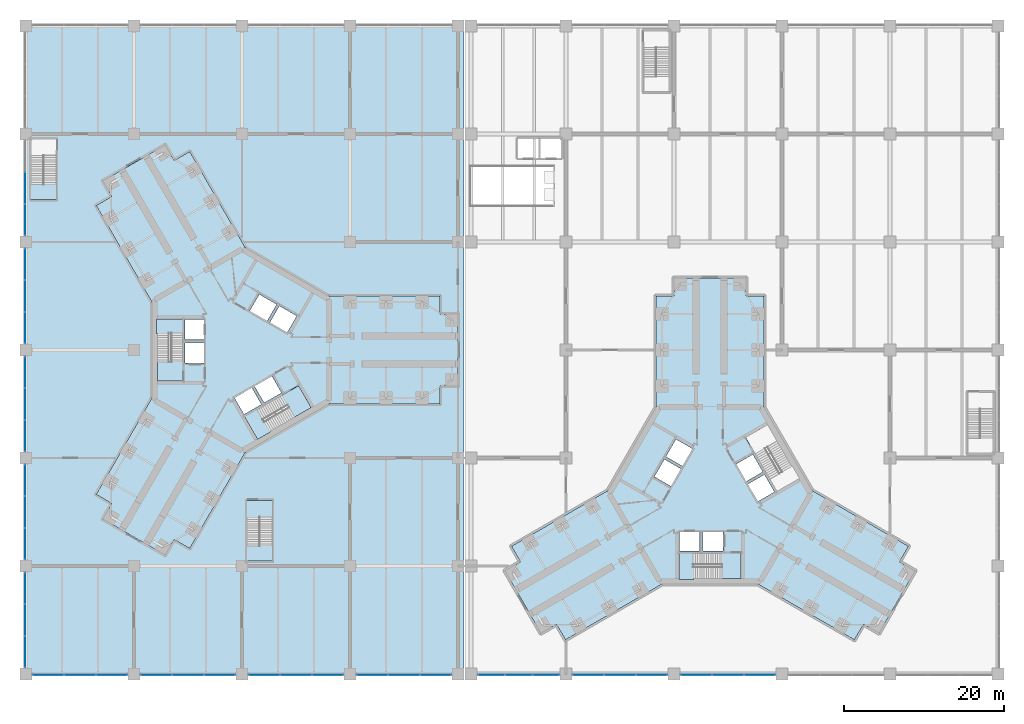
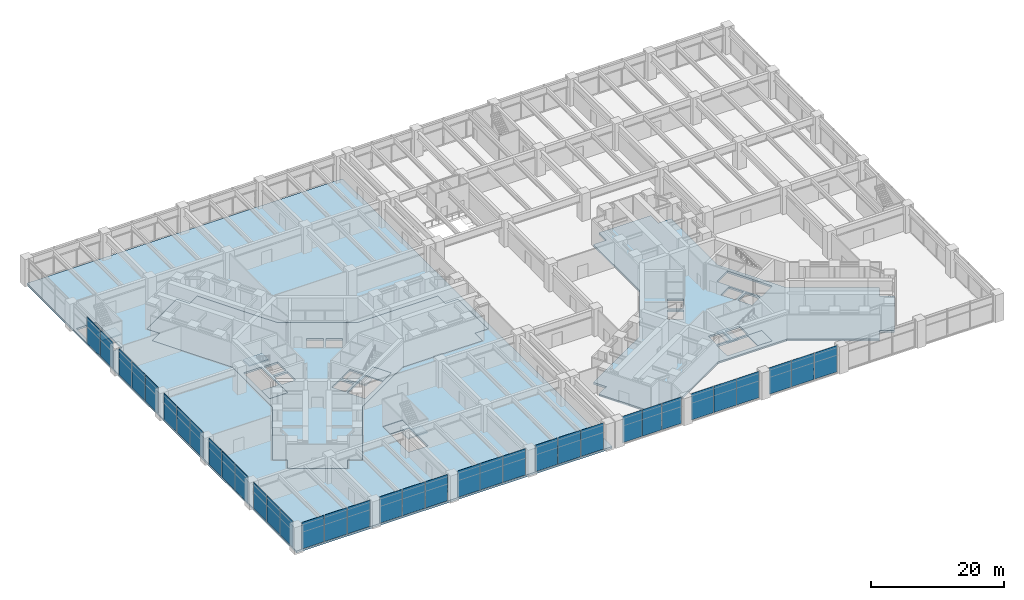
# One storey, part 18 of 31: 35 plates, 12 slabs, 17 elements without a shape of their own.
"""IFC4 building model written with IfcOpenShell, lengths in metres."""

from ifc_helpers import new_model, si_unit, direction, frame, origin, origin_2d, place, context, subcontext, project, spatial, polyline, rectangle, outline, extrude, material, layer, layer_set, type_object, element, aggregate, save


model = new_model("IFC4")

# Units and contexts
model_context = context("Model", 3, precision=1e-05, world=origin(), true_north=direction((0.0, 1.0)))
body_context = subcontext(model_context, "Body", "Model", "MODEL_VIEW")
ifc_project = project(units=[si_unit("LENGTHUNIT", "METRE"), si_unit("AREAUNIT", "SQUARE_METRE"), si_unit("VOLUMEUNIT", "CUBIC_METRE"), si_unit("PLANEANGLEUNIT", "RADIAN"), si_unit("MASSUNIT", "GRAM", prefix="KILO")], contexts=[model_context])

# Site, building, storey
site_placement = place(None, origin())
site = spatial("IfcSite", under=ifc_project, at=site_placement, CompositionType="ELEMENT")
building_placement = place(site_placement, origin())
building = spatial("IfcBuilding", under=site, at=building_placement, Name="Upepo Twin Towers", CompositionType="ELEMENT")
storey_placement = place(building_placement, frame((0.0, 0.0, 15.5)))
storey = spatial("IfcBuildingStorey", under=building, at=storey_placement, Name="L03", CompositionType="ELEMENT", Elevation=15.5)

# Curtain wall, plates
ifc_material_1 = material(Name="Aluminium and clear glass", Category="aluminium")
curtain_wall_type = type_object("IfcCurtainWallType", Name="Podium curtain wall PW1", PredefinedType="NOTDEFINED", material=ifc_material_1)
curtain_wall_1_placement = place(storey_placement, origin())
curtain_wall_1 = element("IfcCurtainWall", 1, at=curtain_wall_1_placement, inside=storey, type_object=curtain_wall_type, Name="Podium L03 curtain wall S1", PredefinedType="NOTDEFINED")
ifc_material_2 = material(Name="Ceramic-fritted laminated glass", Category="glass")
ifc_layer_1 = layer(ifc_material_2, 0.031982421875)
ifc_layer_set_1 = layer_set([ifc_layer_1], Name="Fritted glass panel, 32 mm double glazed")
plate_type_1 = type_object("IfcPlateType", Name="Fritted glass panel, 32 mm double glazed", PredefinedType="CURTAIN_PANEL", material=ifc_layer_set_1)
plate_1_placement = place(storey_placement, frame((-24.21044921875, -40.60009765625, 0.14990234375), z_axis=(0.0, 0.0, 1.0), x_axis=(1.0, 0.0, 0.0)))
plate_1 = element("IfcPlate", 2, at=plate_1_placement, type_object=plate_type_1, Name="Podium L03 curtain wall S1 panel 1", PredefinedType="CURTAIN_PANEL", context=body_context, shape_type="SweptSolid", body=[
    extrude(rectangle(XDim=3.879150390625, YDim=0.031982421875, at=origin_2d()), origin(), (0.0, 0.0, 1.0), 4.85009765625),
])
plate_2_placement = place(storey_placement, frame((-16.28955078125, -40.60009765625, 0.14990234375), z_axis=(0.0, 0.0, 1.0), x_axis=(1.0, 0.0, 0.0)))
plate_2 = element("IfcPlate", 3, at=plate_2_placement, type_object=plate_type_1, Name="Podium L03 curtain wall S1 panel 3", PredefinedType="CURTAIN_PANEL", context=body_context, shape_type="SweptSolid", body=[
    extrude(rectangle(XDim=3.879150390625, YDim=0.031982421875, at=origin_2d()), origin(), (0.0, 0.0, 1.0), 4.85009765625),
])

curtain_wall_2_placement = place(storey_placement, origin())
curtain_wall_2 = element("IfcCurtainWall", 4, at=curtain_wall_2_placement, inside=storey, type_object=curtain_wall_type, Name="Podium L03 curtain wall S2", PredefinedType="NOTDEFINED")
plate_3_placement = place(storey_placement, frame((-10.71044921875, -40.60009765625, 0.14990234375), z_axis=(0.0, 0.0, 1.0), x_axis=(1.0, 0.0, 0.0)))
plate_3 = element("IfcPlate", 5, at=plate_3_placement, type_object=plate_type_1, Name="Podium L03 curtain wall S2 panel 1", PredefinedType="CURTAIN_PANEL", context=body_context, shape_type="SweptSolid", body=[
    extrude(rectangle(XDim=3.879150390625, YDim=0.031982421875, at=origin_2d()), origin(), (0.0, 0.0, 1.0), 4.85009765625),
])
plate_4_placement = place(storey_placement, frame((-2.78955078125, -40.60009765625, 0.14990234375), z_axis=(0.0, 0.0, 1.0), x_axis=(1.0, 0.0, 0.0)))
plate_4 = element("IfcPlate", 6, at=plate_4_placement, type_object=plate_type_1, Name="Podium L03 curtain wall S2 panel 3", PredefinedType="CURTAIN_PANEL", context=body_context, shape_type="SweptSolid", body=[
    extrude(rectangle(XDim=3.879150390625, YDim=0.031982421875, at=origin_2d()), origin(), (0.0, 0.0, 1.0), 4.85009765625),
])

curtain_wall_3_placement = place(storey_placement, origin())
curtain_wall_3 = element("IfcCurtainWall", 7, at=curtain_wall_3_placement, inside=storey, type_object=curtain_wall_type, Name="Podium L03 curtain wall S3", PredefinedType="NOTDEFINED")
plate_5_placement = place(storey_placement, frame((2.78955078125, -40.60009765625, 0.14990234375), z_axis=(0.0, 0.0, 1.0), x_axis=(1.0, 0.0, 0.0)))
plate_5 = element("IfcPlate", 8, at=plate_5_placement, type_object=plate_type_1, Name="Podium L03 curtain wall S3 panel 1", PredefinedType="CURTAIN_PANEL", context=body_context, shape_type="SweptSolid", body=[
    extrude(rectangle(XDim=3.879150390625, YDim=0.031982421875, at=origin_2d()), origin(), (0.0, 0.0, 1.0), 4.85009765625),
])
plate_6_placement = place(storey_placement, frame((10.71044921875, -40.60009765625, 0.14990234375), z_axis=(0.0, 0.0, 1.0), x_axis=(1.0, 0.0, 0.0)))
plate_6 = element("IfcPlate", 9, at=plate_6_placement, type_object=plate_type_1, Name="Podium L03 curtain wall S3 panel 3", PredefinedType="CURTAIN_PANEL", context=body_context, shape_type="SweptSolid", body=[
    extrude(rectangle(XDim=3.879150390625, YDim=0.031982421875, at=origin_2d()), origin(), (0.0, 0.0, 1.0), 4.85009765625),
])

curtain_wall_4_placement = place(storey_placement, origin())
curtain_wall_4 = element("IfcCurtainWall", 10, at=curtain_wall_4_placement, inside=storey, type_object=curtain_wall_type, Name="Podium L03 curtain wall S4", PredefinedType="NOTDEFINED")
plate_7_placement = place(storey_placement, frame((16.28955078125, -40.60009765625, 0.14990234375), z_axis=(0.0, 0.0, 1.0), x_axis=(1.0, 0.0, 0.0)))
plate_7 = element("IfcPlate", 11, at=plate_7_placement, type_object=plate_type_1, Name="Podium L03 curtain wall S4 panel 1", PredefinedType="CURTAIN_PANEL", context=body_context, shape_type="SweptSolid", body=[
    extrude(rectangle(XDim=3.879150390625, YDim=0.031982421875, at=origin_2d()), origin(), (0.0, 0.0, 1.0), 4.85009765625),
])
plate_8_placement = place(storey_placement, frame((24.21044921875, -40.60009765625, 0.14990234375), z_axis=(0.0, 0.0, 1.0), x_axis=(1.0, 0.0, 0.0)))
plate_8 = element("IfcPlate", 12, at=plate_8_placement, type_object=plate_type_1, Name="Podium L03 curtain wall S4 panel 3", PredefinedType="CURTAIN_PANEL", context=body_context, shape_type="SweptSolid", body=[
    extrude(rectangle(XDim=3.879150390625, YDim=0.031982421875, at=origin_2d()), origin(), (0.0, 0.0, 1.0), 4.85009765625),
])

curtain_wall_5_placement = place(storey_placement, origin())
curtain_wall_5 = element("IfcCurtainWall", 13, at=curtain_wall_5_placement, inside=storey, type_object=curtain_wall_type, Name="Podium L03 curtain wall S5", PredefinedType="NOTDEFINED")
plate_9_placement = place(storey_placement, frame((31.16455078125, -40.60009765625, 0.14990234375), z_axis=(0.0, 0.0, 1.0), x_axis=(1.0, 0.0, 0.0)))
plate_9 = element("IfcPlate", 14, at=plate_9_placement, type_object=plate_type_1, Name="Podium L03 curtain wall S5 panel 1", PredefinedType="CURTAIN_PANEL", context=body_context, shape_type="SweptSolid", body=[
    extrude(rectangle(XDim=3.3291015625, YDim=0.031982421875, at=origin_2d()), origin(), (0.0, 0.0, 1.0), 4.85009765625),
])
plate_10_placement = place(storey_placement, frame((37.9853515625, -40.60009765625, 0.14990234375), z_axis=(0.0, 0.0, 1.0), x_axis=(1.0, 0.0, 0.0)))
plate_10 = element("IfcPlate", 15, at=plate_10_placement, type_object=plate_type_1, Name="Podium L03 curtain wall S5 panel 3", PredefinedType="CURTAIN_PANEL", context=body_context, shape_type="SweptSolid", body=[
    extrude(rectangle(XDim=3.3291015625, YDim=0.031982421875, at=origin_2d()), origin(), (0.0, 0.0, 1.0), 4.85009765625),
])

curtain_wall_6_placement = place(storey_placement, origin())
curtain_wall_6 = element("IfcCurtainWall", 16, at=curtain_wall_6_placement, inside=storey, type_object=curtain_wall_type, Name="Podium L03 curtain wall S6", PredefinedType="NOTDEFINED")
plate_11_placement = place(storey_placement, frame((43.28955078125, -40.60009765625, 0.14990234375), z_axis=(0.0, 0.0, 1.0), x_axis=(1.0, 0.0, 0.0)))
plate_11 = element("IfcPlate", 17, at=plate_11_placement, type_object=plate_type_1, Name="Podium L03 curtain wall S6 panel 1", PredefinedType="CURTAIN_PANEL", context=body_context, shape_type="SweptSolid", body=[
    extrude(rectangle(XDim=3.879150390625, YDim=0.031982421875, at=origin_2d()), origin(), (0.0, 0.0, 1.0), 4.85009765625),
])
plate_12_placement = place(storey_placement, frame((51.21044921875, -40.60009765625, 0.14990234375), z_axis=(0.0, 0.0, 1.0), x_axis=(1.0, 0.0, 0.0)))
plate_12 = element("IfcPlate", 18, at=plate_12_placement, type_object=plate_type_1, Name="Podium L03 curtain wall S6 panel 3", PredefinedType="CURTAIN_PANEL", context=body_context, shape_type="SweptSolid", body=[
    extrude(rectangle(XDim=3.879150390625, YDim=0.031982421875, at=origin_2d()), origin(), (0.0, 0.0, 1.0), 4.85009765625),
])

curtain_wall_7_placement = place(storey_placement, origin())
curtain_wall_7 = element("IfcCurtainWall", 19, at=curtain_wall_7_placement, inside=storey, type_object=curtain_wall_type, Name="Podium L03 curtain wall S7", PredefinedType="NOTDEFINED")
plate_13_placement = place(storey_placement, frame((56.78955078125, -40.60009765625, 0.14990234375), z_axis=(0.0, 0.0, 1.0), x_axis=(1.0, 0.0, 0.0)))
plate_13 = element("IfcPlate", 20, at=plate_13_placement, type_object=plate_type_1, Name="Podium L03 curtain wall S7 panel 1", PredefinedType="CURTAIN_PANEL", context=body_context, shape_type="SweptSolid", body=[
    extrude(rectangle(XDim=3.879150390625, YDim=0.031982421875, at=origin_2d()), origin(), (0.0, 0.0, 1.0), 4.85009765625),
])
plate_14_placement = place(storey_placement, frame((64.71044921875, -40.60009765625, 0.14990234375), z_axis=(0.0, 0.0, 1.0), x_axis=(1.0, 0.0, 0.0)))
plate_14 = element("IfcPlate", 21, at=plate_14_placement, type_object=plate_type_1, Name="Podium L03 curtain wall S7 panel 3", PredefinedType="CURTAIN_PANEL", context=body_context, shape_type="SweptSolid", body=[
    extrude(rectangle(XDim=3.879150390625, YDim=0.031982421875, at=origin_2d()), origin(), (0.0, 0.0, 1.0), 4.85009765625),
])

# Curtain wall, plate
curtain_wall_8_placement = place(storey_placement, origin())
curtain_wall_8 = element("IfcCurtainWall", 22, at=curtain_wall_8_placement, inside=storey, type_object=curtain_wall_type, Name="Podium L03 curtain wall W2", PredefinedType="NOTDEFINED")
plate_15_placement = place(storey_placement, frame((-27.10009765625, 16.28955078125, 0.14990234375), z_axis=(0.0, 0.0, 1.0), x_axis=(0.0, -1.0, 0.0)))
plate_15 = element("IfcPlate", 23, at=plate_15_placement, type_object=plate_type_1, Name="Podium L03 curtain wall W2 panel 3", PredefinedType="CURTAIN_PANEL", context=body_context, shape_type="SweptSolid", body=[
    extrude(rectangle(XDim=3.879150390625, YDim=0.031982421875, at=origin_2d()), origin(), (0.0, 0.0, 1.0), 4.85009765625),
])

# Curtain wall, plates
curtain_wall_9_placement = place(storey_placement, origin())
curtain_wall_9 = element("IfcCurtainWall", 24, at=curtain_wall_9_placement, inside=storey, type_object=curtain_wall_type, Name="Podium L03 curtain wall W3", PredefinedType="NOTDEFINED")
plate_16_placement = place(storey_placement, frame((-27.10009765625, 10.71044921875, 0.14990234375), z_axis=(0.0, 0.0, 1.0), x_axis=(0.0, -1.0, 0.0)))
plate_16 = element("IfcPlate", 25, at=plate_16_placement, type_object=plate_type_1, Name="Podium L03 curtain wall W3 panel 1", PredefinedType="CURTAIN_PANEL", context=body_context, shape_type="SweptSolid", body=[
    extrude(rectangle(XDim=3.879150390625, YDim=0.031982421875, at=origin_2d()), origin(), (0.0, 0.0, 1.0), 4.85009765625),
])
plate_17_placement = place(storey_placement, frame((-27.10009765625, 2.78955078125, 0.14990234375), z_axis=(0.0, 0.0, 1.0), x_axis=(0.0, -1.0, 0.0)))
plate_17 = element("IfcPlate", 26, at=plate_17_placement, type_object=plate_type_1, Name="Podium L03 curtain wall W3 panel 3", PredefinedType="CURTAIN_PANEL", context=body_context, shape_type="SweptSolid", body=[
    extrude(rectangle(XDim=3.879150390625, YDim=0.031982421875, at=origin_2d()), origin(), (0.0, 0.0, 1.0), 4.85009765625),
])

curtain_wall_10_placement = place(storey_placement, origin())
curtain_wall_10 = element("IfcCurtainWall", 27, at=curtain_wall_10_placement, inside=storey, type_object=curtain_wall_type, Name="Podium L03 curtain wall W4", PredefinedType="NOTDEFINED")
plate_18_placement = place(storey_placement, frame((-27.10009765625, -2.78955078125, 0.14990234375), z_axis=(0.0, 0.0, 1.0), x_axis=(0.0, -1.0, 0.0)))
plate_18 = element("IfcPlate", 28, at=plate_18_placement, type_object=plate_type_1, Name="Podium L03 curtain wall W4 panel 1", PredefinedType="CURTAIN_PANEL", context=body_context, shape_type="SweptSolid", body=[
    extrude(rectangle(XDim=3.879150390625, YDim=0.031982421875, at=origin_2d()), origin(), (0.0, 0.0, 1.0), 4.85009765625),
])
plate_19_placement = place(storey_placement, frame((-27.10009765625, -10.71044921875, 0.14990234375), z_axis=(0.0, 0.0, 1.0), x_axis=(0.0, -1.0, 0.0)))
plate_19 = element("IfcPlate", 29, at=plate_19_placement, type_object=plate_type_1, Name="Podium L03 curtain wall W4 panel 3", PredefinedType="CURTAIN_PANEL", context=body_context, shape_type="SweptSolid", body=[
    extrude(rectangle(XDim=3.879150390625, YDim=0.031982421875, at=origin_2d()), origin(), (0.0, 0.0, 1.0), 4.85009765625),
])

curtain_wall_11_placement = place(storey_placement, origin())
curtain_wall_11 = element("IfcCurtainWall", 30, at=curtain_wall_11_placement, inside=storey, type_object=curtain_wall_type, Name="Podium L03 curtain wall W5", PredefinedType="NOTDEFINED")
plate_20_placement = place(storey_placement, frame((-27.10009765625, -16.28955078125, 0.14990234375), z_axis=(0.0, 0.0, 1.0), x_axis=(0.0, -1.0, 0.0)))
plate_20 = element("IfcPlate", 31, at=plate_20_placement, type_object=plate_type_1, Name="Podium L03 curtain wall W5 panel 1", PredefinedType="CURTAIN_PANEL", context=body_context, shape_type="SweptSolid", body=[
    extrude(rectangle(XDim=3.879150390625, YDim=0.031982421875, at=origin_2d()), origin(), (0.0, 0.0, 1.0), 4.85009765625),
])
plate_21_placement = place(storey_placement, frame((-27.10009765625, -24.21044921875, 0.14990234375), z_axis=(0.0, 0.0, 1.0), x_axis=(0.0, -1.0, 0.0)))
plate_21 = element("IfcPlate", 32, at=plate_21_placement, type_object=plate_type_1, Name="Podium L03 curtain wall W5 panel 3", PredefinedType="CURTAIN_PANEL", context=body_context, shape_type="SweptSolid", body=[
    extrude(rectangle(XDim=3.879150390625, YDim=0.031982421875, at=origin_2d()), origin(), (0.0, 0.0, 1.0), 4.85009765625),
])

curtain_wall_12_placement = place(storey_placement, origin())
curtain_wall_12 = element("IfcCurtainWall", 33, at=curtain_wall_12_placement, inside=storey, type_object=curtain_wall_type, Name="Podium L03 curtain wall W6", PredefinedType="NOTDEFINED")
plate_22_placement = place(storey_placement, frame((-27.10009765625, -29.78955078125, 0.14990234375), z_axis=(0.0, 0.0, 1.0), x_axis=(0.0, -1.0, 0.0)))
plate_22 = element("IfcPlate", 34, at=plate_22_placement, type_object=plate_type_1, Name="Podium L03 curtain wall W6 panel 1", PredefinedType="CURTAIN_PANEL", context=body_context, shape_type="SweptSolid", body=[
    extrude(rectangle(XDim=3.879150390625, YDim=0.031982421875, at=origin_2d()), origin(), (0.0, 0.0, 1.0), 4.85009765625),
])
plate_23_placement = place(storey_placement, frame((-27.10009765625, -37.71044921875, 0.14990234375), z_axis=(0.0, 0.0, 1.0), x_axis=(0.0, -1.0, 0.0)))
plate_23 = element("IfcPlate", 35, at=plate_23_placement, type_object=plate_type_1, Name="Podium L03 curtain wall W6 panel 3", PredefinedType="CURTAIN_PANEL", context=body_context, shape_type="SweptSolid", body=[
    extrude(rectangle(XDim=3.879150390625, YDim=0.031982421875, at=origin_2d()), origin(), (0.0, 0.0, 1.0), 4.85009765625),
])

# Plate
ifc_material_3 = material(Name="Clear laminated glass in opening sash", Category="glass")
ifc_layer_2 = layer(ifc_material_3, 0.031982421875)
ifc_layer_set_2 = layer_set([ifc_layer_2], Name="Operable glass panel, 32 mm double glazed")
plate_type_2 = type_object("IfcPlateType", Name="Operable glass panel, 32 mm double glazed", PredefinedType="CURTAIN_PANEL", material=ifc_layer_set_2)
plate_24_placement = place(storey_placement, frame((-20.25, -40.60009765625, 0.14990234375), z_axis=(0.0, 0.0, 1.0), x_axis=(1.0, 0.0, 0.0)))
plate_24 = element("IfcPlate", 36, at=plate_24_placement, type_object=plate_type_2, Name="Podium L03 curtain wall S1 panel 2", PredefinedType="CURTAIN_PANEL", context=body_context, shape_type="SweptSolid", body=[
    extrude(rectangle(XDim=3.91162109375, YDim=0.031982421875, at=origin_2d()), origin(), (0.0, 0.0, 1.0), 4.85009765625),
])

aggregate(curtain_wall_1, [plate_1, plate_24, plate_2])

plate_25_placement = place(storey_placement, frame((-6.75, -40.60009765625, 0.14990234375), z_axis=(0.0, 0.0, 1.0), x_axis=(1.0, 0.0, 0.0)))
plate_25 = element("IfcPlate", 37, at=plate_25_placement, type_object=plate_type_2, Name="Podium L03 curtain wall S2 panel 2", PredefinedType="CURTAIN_PANEL", context=body_context, shape_type="SweptSolid", body=[
    extrude(rectangle(XDim=3.91162109375, YDim=0.031982421875, at=origin_2d()), origin(), (0.0, 0.0, 1.0), 4.85009765625),
])

aggregate(curtain_wall_2, [plate_3, plate_25, plate_4])

plate_26_placement = place(storey_placement, frame((6.75, -40.60009765625, 0.14990234375), z_axis=(0.0, 0.0, 1.0), x_axis=(1.0, 0.0, 0.0)))
plate_26 = element("IfcPlate", 38, at=plate_26_placement, type_object=plate_type_2, Name="Podium L03 curtain wall S3 panel 2", PredefinedType="CURTAIN_PANEL", context=body_context, shape_type="SweptSolid", body=[
    extrude(rectangle(XDim=3.91162109375, YDim=0.031982421875, at=origin_2d()), origin(), (0.0, 0.0, 1.0), 4.85009765625),
])

aggregate(curtain_wall_3, [plate_5, plate_26, plate_6])

plate_27_placement = place(storey_placement, frame((20.25, -40.60009765625, 0.14990234375), z_axis=(0.0, 0.0, 1.0), x_axis=(1.0, 0.0, 0.0)))
plate_27 = element("IfcPlate", 39, at=plate_27_placement, type_object=plate_type_2, Name="Podium L03 curtain wall S4 panel 2", PredefinedType="CURTAIN_PANEL", context=body_context, shape_type="SweptSolid", body=[
    extrude(rectangle(XDim=3.91162109375, YDim=0.031982421875, at=origin_2d()), origin(), (0.0, 0.0, 1.0), 4.85009765625),
])

aggregate(curtain_wall_4, [plate_7, plate_27, plate_8])

plate_28_placement = place(storey_placement, frame((34.574951171875, -40.60009765625, 0.14990234375), z_axis=(0.0, 0.0, 1.0), x_axis=(1.0, 0.0, 0.0)))
plate_28 = element("IfcPlate", 40, at=plate_28_placement, type_object=plate_type_2, Name="Podium L03 curtain wall S5 panel 2", PredefinedType="CURTAIN_PANEL", context=body_context, shape_type="SweptSolid", body=[
    extrude(rectangle(XDim=3.361572265625, YDim=0.031982421875, at=origin_2d()), origin(), (0.0, 0.0, 1.0), 4.85009765625),
])

aggregate(curtain_wall_5, [plate_9, plate_28, plate_10])

plate_29_placement = place(storey_placement, frame((47.25, -40.60009765625, 0.14990234375), z_axis=(0.0, 0.0, 1.0), x_axis=(1.0, 0.0, 0.0)))
plate_29 = element("IfcPlate", 41, at=plate_29_placement, type_object=plate_type_2, Name="Podium L03 curtain wall S6 panel 2", PredefinedType="CURTAIN_PANEL", context=body_context, shape_type="SweptSolid", body=[
    extrude(rectangle(XDim=3.91162109375, YDim=0.031982421875, at=origin_2d()), origin(), (0.0, 0.0, 1.0), 4.85009765625),
])

aggregate(curtain_wall_6, [plate_11, plate_29, plate_12])

plate_30_placement = place(storey_placement, frame((60.75, -40.60009765625, 0.14990234375), z_axis=(0.0, 0.0, 1.0), x_axis=(1.0, 0.0, 0.0)))
plate_30 = element("IfcPlate", 42, at=plate_30_placement, type_object=plate_type_2, Name="Podium L03 curtain wall S7 panel 2", PredefinedType="CURTAIN_PANEL", context=body_context, shape_type="SweptSolid", body=[
    extrude(rectangle(XDim=3.91162109375, YDim=0.031982421875, at=origin_2d()), origin(), (0.0, 0.0, 1.0), 4.85009765625),
])

aggregate(curtain_wall_7, [plate_13, plate_30, plate_14])

plate_31_placement = place(storey_placement, frame((-27.10009765625, 20.25, 0.14990234375), z_axis=(0.0, 0.0, 1.0), x_axis=(0.0, -1.0, 0.0)))
plate_31 = element("IfcPlate", 43, at=plate_31_placement, type_object=plate_type_2, Name="Podium L03 curtain wall W2 panel 2", PredefinedType="CURTAIN_PANEL", context=body_context, shape_type="SweptSolid", body=[
    extrude(rectangle(XDim=3.91162109375, YDim=0.031982421875, at=origin_2d()), origin(), (0.0, 0.0, 1.0), 4.85009765625),
])

aggregate(curtain_wall_8, [plate_31, plate_15])

plate_32_placement = place(storey_placement, frame((-27.10009765625, 6.75, 0.14990234375), z_axis=(0.0, 0.0, 1.0), x_axis=(0.0, -1.0, 0.0)))
plate_32 = element("IfcPlate", 44, at=plate_32_placement, type_object=plate_type_2, Name="Podium L03 curtain wall W3 panel 2", PredefinedType="CURTAIN_PANEL", context=body_context, shape_type="SweptSolid", body=[
    extrude(rectangle(XDim=3.91162109375, YDim=0.031982421875, at=origin_2d()), origin(), (0.0, 0.0, 1.0), 4.85009765625),
])

aggregate(curtain_wall_9, [plate_16, plate_32, plate_17])

plate_33_placement = place(storey_placement, frame((-27.10009765625, -6.75, 0.14990234375), z_axis=(0.0, 0.0, 1.0), x_axis=(0.0, -1.0, 0.0)))
plate_33 = element("IfcPlate", 45, at=plate_33_placement, type_object=plate_type_2, Name="Podium L03 curtain wall W4 panel 2", PredefinedType="CURTAIN_PANEL", context=body_context, shape_type="SweptSolid", body=[
    extrude(rectangle(XDim=3.91162109375, YDim=0.031982421875, at=origin_2d()), origin(), (0.0, 0.0, 1.0), 4.85009765625),
])

aggregate(curtain_wall_10, [plate_18, plate_33, plate_19])

plate_34_placement = place(storey_placement, frame((-27.10009765625, -20.25, 0.14990234375), z_axis=(0.0, 0.0, 1.0), x_axis=(0.0, -1.0, 0.0)))
plate_34 = element("IfcPlate", 46, at=plate_34_placement, type_object=plate_type_2, Name="Podium L03 curtain wall W5 panel 2", PredefinedType="CURTAIN_PANEL", context=body_context, shape_type="SweptSolid", body=[
    extrude(rectangle(XDim=3.91162109375, YDim=0.031982421875, at=origin_2d()), origin(), (0.0, 0.0, 1.0), 4.85009765625),
])

aggregate(curtain_wall_11, [plate_20, plate_34, plate_21])

plate_35_placement = place(storey_placement, frame((-27.10009765625, -33.75, 0.14990234375), z_axis=(0.0, 0.0, 1.0), x_axis=(0.0, -1.0, 0.0)))
plate_35 = element("IfcPlate", 47, at=plate_35_placement, type_object=plate_type_2, Name="Podium L03 curtain wall W6 panel 2", PredefinedType="CURTAIN_PANEL", context=body_context, shape_type="SweptSolid", body=[
    extrude(rectangle(XDim=3.91162109375, YDim=0.031982421875, at=origin_2d()), origin(), (0.0, 0.0, 1.0), 4.85009765625),
])

aggregate(curtain_wall_12, [plate_22, plate_35, plate_23])

# Slabs
ifc_material_4 = material(Name="Concrete C40/50", Category="concrete")
ifc_layer_3 = layer(ifc_material_4, 0.35009765625)
ifc_layer_set_3 = layer_set([ifc_layer_3], Name="Concrete C40/50")
slab_type_1 = type_object("IfcSlabType", Name="Podium floor slab 350 RC", PredefinedType="FLOOR", material=ifc_layer_set_3)
slab_1_placement = place(storey_placement, frame((0.0, 0.0, -0.35009765625)))
element("IfcSlab", 48, at=slab_1_placement, inside=storey, type_object=slab_type_1, Name="T1 L03 floor slab", PredefinedType="FLOOR", context=body_context, shape_type="SweptSolid", body=[
    extrude(outline(polyline([(-8.477783203125, -23.68408203125), (-9.602783203125, -25.632568359375), (-17.397216796875, -21.132568359375), (-16.272216796875, -19.18408203125), (-18.220703125, -18.05908203125), (-11.25830078125, -6.0), (-11.25830078125, 6.0), (-18.220703125, 18.05908203125), (-16.272216796875, 19.18408203125), (-17.397216796875, 21.132568359375), (-9.602783203125, 25.632568359375), (-8.477783203125, 23.68408203125), (-6.529296875, 24.80908203125), (0.43310546875, 12.75), (10.825439453125, 6.75), (24.75, 6.75), (24.75, 4.5), (27.0, 4.5), (27.0, -4.5), (24.75, -4.5), (24.75, -6.75), (10.825439453125, -6.75), (0.43310546875, -12.75), (-6.529296875, -24.80908203125), (-8.477783203125, -23.68408203125)]), holes=[polyline([(5.640869140625, 2.17041015625), (6.8408203125, 4.248779296875), (4.67578125, 5.498779296875), (3.475830078125, 3.42041015625), (5.640869140625, 2.17041015625)]), polyline([(3.12939453125, 3.620361328125), (4.329345703125, 5.69873046875), (2.164306640625, 6.94873046875), (0.96435546875, 4.870361328125), (3.12939453125, 3.620361328125)]), polyline([(-4.699951171875, 3.800048828125), (-7.10009765625, 3.800048828125), (-7.10009765625, 1.300048828125), (-4.699951171875, 1.300048828125), (-4.699951171875, 3.800048828125)]), polyline([(-4.699951171875, 0.89990234375), (-7.10009765625, 0.89990234375), (-7.10009765625, -1.60009765625), (-4.699951171875, -1.60009765625), (-4.699951171875, 0.89990234375)]), polyline([(-7.39990234375, 3.89990234375), (-10.558349609375, 3.89990234375), (-10.558349609375, -3.89990234375), (-7.39990234375, -3.89990234375), (-7.39990234375, 3.89990234375)]), polyline([(-0.94091796875, -5.97021484375), (0.259033203125, -8.048828125), (2.424072265625, -6.798828125), (1.22412109375, -4.72021484375), (-0.94091796875, -5.97021484375)]), polyline([(1.570556640625, -4.520263671875), (2.7705078125, -6.598876953125), (4.935546875, -5.348876953125), (3.735595703125, -3.270263671875), (1.570556640625, -4.520263671875)]), polyline([(0.322509765625, -8.358642578125), (1.901611328125, -11.09375), (8.65673828125, -7.19384765625), (7.077392578125, -4.45849609375), (0.322509765625, -8.358642578125)])]), origin(), (0.0, 0.0, 1.0), 0.35009765625),
])
slab_2_placement = place(storey_placement, frame((0.0, 0.0, -0.35009765625)))
element("IfcSlab", 49, at=slab_2_placement, inside=storey, type_object=slab_type_1, Name="T2 L03 floor slab", PredefinedType="FLOOR", context=body_context, shape_type="SweptSolid", body=[
    extrude(outline(polyline([(82.18408203125, -26.477783203125), (84.132568359375, -27.602783203125), (79.632568359375, -35.397216796875), (77.68408203125, -34.272216796875), (76.55908203125, -36.220703125), (64.5, -29.25830078125), (52.5, -29.25830078125), (40.44091796875, -36.220703125), (39.31591796875, -34.272216796875), (37.367431640625, -35.397216796875), (32.867431640625, -27.602783203125), (34.81591796875, -26.477783203125), (33.69091796875, -24.529296875), (45.75, -17.56689453125), (51.75, -7.174560546875), (51.75, 6.75), (54.0, 6.75), (54.0, 9.0), (63.0, 9.0), (63.0, 6.75), (65.25, 6.75), (65.25, -7.174560546875), (71.25, -17.56689453125), (83.30908203125, -24.529296875), (82.18408203125, -26.477783203125)]), holes=[polyline([(56.32958984375, -12.359130859375), (54.251220703125, -11.1591796875), (53.001220703125, -13.32421875), (55.07958984375, -14.524169921875), (56.32958984375, -12.359130859375)]), polyline([(54.879638671875, -14.87060546875), (52.80126953125, -13.670654296875), (51.55126953125, -15.835693359375), (53.629638671875, -17.03564453125), (54.879638671875, -14.87060546875)]), polyline([(54.699951171875, -22.699951171875), (54.699951171875, -25.10009765625), (57.199951171875, -25.10009765625), (57.199951171875, -22.699951171875), (54.699951171875, -22.699951171875)]), polyline([(57.60009765625, -22.699951171875), (57.60009765625, -25.10009765625), (60.10009765625, -25.10009765625), (60.10009765625, -22.699951171875), (57.60009765625, -22.699951171875)]), polyline([(54.60009765625, -25.39990234375), (54.60009765625, -28.558349609375), (62.39990234375, -28.558349609375), (62.39990234375, -25.39990234375), (54.60009765625, -25.39990234375)]), polyline([(64.47021484375, -18.94091796875), (66.548828125, -17.740966796875), (65.298828125, -15.575927734375), (63.22021484375, -16.77587890625), (64.47021484375, -18.94091796875)]), polyline([(63.020263671875, -16.429443359375), (65.098876953125, -15.2294921875), (63.848876953125, -13.064453125), (61.770263671875, -14.264404296875), (63.020263671875, -16.429443359375)]), polyline([(66.858642578125, -17.677490234375), (69.59375, -16.098388671875), (65.69384765625, -9.34326171875), (62.95849609375, -10.922607421875), (66.858642578125, -17.677490234375)])]), origin(), (0.0, 0.0, 1.0), 0.35009765625),
])
slab_3_placement = place(storey_placement, frame((0.0, 0.0, -0.35009765625)))
element("IfcSlab", 50, at=slab_3_placement, inside=storey, type_object=slab_type_1, Name="L03 podium floor slab west", PredefinedType="FLOOR", context=body_context, shape_type="SweptSolid", body=[
    extrude(outline(polyline([(27.75, 40.5), (27.75, -40.5), (-27.0, -40.5), (-27.0, 40.5), (27.75, 40.5)]), holes=[polyline([(-8.477783203125, -23.68408203125), (-9.602783203125, -25.632568359375), (-17.397216796875, -21.132568359375), (-16.272216796875, -19.18408203125), (-18.220703125, -18.05908203125), (-11.25830078125, -6.0), (-11.25830078125, 6.0), (-18.220703125, 18.05908203125), (-16.272216796875, 19.18408203125), (-17.397216796875, 21.132568359375), (-9.602783203125, 25.632568359375), (-8.477783203125, 23.68408203125), (-6.529296875, 24.80908203125), (0.43310546875, 12.75), (10.825439453125, 6.75), (24.75, 6.75), (24.75, 4.5), (27.0, 4.5), (27.0, -4.5), (24.75, -4.5), (24.75, -6.75), (10.825439453125, -6.75), (0.43310546875, -12.75), (-6.529296875, -24.80908203125), (-8.477783203125, -23.68408203125)]), polyline([(-23.10009765625, 18.699951171875), (-23.10009765625, 26.5), (-26.5, 26.5), (-26.5, 18.699951171875), (-23.10009765625, 18.699951171875)]), polyline([(3.89990234375, -26.5), (3.89990234375, -18.699951171875), (0.5, -18.699951171875), (0.5, -26.5), (3.89990234375, -26.5)])]), origin(), (0.0, 0.0, 1.0), 0.35009765625),
])

# Stair, slabs
ifc_material_5 = material(Name="Concrete C40/50", Category="concrete")
stair_type_1 = type_object("IfcStairType", Name="Core stair, two flights", PredefinedType="HALF_TURN_STAIR", material=ifc_material_5)
stair_1_placement = place(storey_placement, origin())
stair_1 = element("IfcStair", 51, at=stair_1_placement, inside=storey, type_object=stair_type_1, Name="T1 stair S1 L03", PredefinedType="HALF_TURN_STAIR")
ifc_material_6 = material(Name="Concrete C40/50", Category="concrete")
ifc_layer_4 = layer(ifc_material_6, 0.199951171875)
ifc_layer_set_4 = layer_set([ifc_layer_4], Name="Concrete C40/50")
slab_type_2 = type_object("IfcSlabType", Name="Stair landing 200 RC", PredefinedType="LANDING", material=ifc_layer_set_4)
slab_4_placement = place(storey_placement, frame((0.0, 0.0, -0.199951171875)))
slab_4 = element("IfcSlab", 52, at=slab_4_placement, type_object=slab_type_2, Name="Stair S1 landing 1", PredefinedType="LANDING", context=body_context, shape_type="SweptSolid", body=[
    extrude(outline(polyline([(-7.39990234375, -1.419921875), (-10.558349609375, -1.419921875), (-10.558349609375, -3.89990234375), (-7.39990234375, -3.89990234375), (-7.39990234375, -1.419921875)])), origin(), (0.0, 0.0, 1.0), 0.199951171875),
])
slab_5_placement = place(storey_placement, frame((0.0, 0.0, 2.300048828125)))
slab_5 = element("IfcSlab", 53, at=slab_5_placement, type_object=slab_type_2, Name="Stair S1 landing 2", PredefinedType="LANDING", context=body_context, shape_type="SweptSolid", body=[
    extrude(outline(polyline([(-7.300048828125, 3.89990234375), (-10.658447265625, 3.89990234375), (-10.658447265625, 2.02001953125), (-7.300048828125, 2.02001953125), (-7.300048828125, 3.89990234375)])), origin(), (0.0, 0.0, 1.0), 0.199951171875),
])
aggregate(stair_1, [slab_4, slab_5])

stair_2_placement = place(storey_placement, origin())
stair_2 = element("IfcStair", 54, at=stair_2_placement, inside=storey, type_object=stair_type_1, Name="T1 stair S2 L03", PredefinedType="HALF_TURN_STAIR")
slab_6_placement = place(storey_placement, frame((0.0, 0.0, -0.199951171875)))
slab_6 = element("IfcSlab", 55, at=slab_6_placement, type_object=slab_type_2, Name="Stair S2 landing 1", PredefinedType="LANDING", context=body_context, shape_type="SweptSolid", body=[
    extrude(outline(polyline([(4.9296875, -5.698486328125), (6.509033203125, -8.433837890625), (8.65673828125, -7.19384765625), (7.077392578125, -4.45849609375), (4.9296875, -5.698486328125)])), origin(), (0.0, 0.0, 1.0), 0.199951171875),
])
slab_7_placement = place(storey_placement, frame((0.0, 0.0, 2.300048828125)))
slab_7 = element("IfcSlab", 56, at=slab_7_placement, type_object=slab_type_2, Name="Stair S2 landing 2", PredefinedType="LANDING", context=body_context, shape_type="SweptSolid", body=[
    extrude(outline(polyline([(0.2724609375, -8.27197265625), (1.95166015625, -11.180419921875), (3.579833984375, -10.240478515625), (1.900634765625, -7.33203125), (0.2724609375, -8.27197265625)])), origin(), (0.0, 0.0, 1.0), 0.199951171875),
])
aggregate(stair_2, [slab_6, slab_7])

stair_3_placement = place(storey_placement, origin())
stair_3 = element("IfcStair", 57, at=stair_3_placement, inside=storey, type_object=stair_type_1, Name="T2 stair S1 L03", PredefinedType="HALF_TURN_STAIR")
slab_8_placement = place(storey_placement, frame((0.0, 0.0, -0.199951171875)))
slab_8 = element("IfcSlab", 58, at=slab_8_placement, type_object=slab_type_2, Name="Stair S1 landing 1", PredefinedType="LANDING", context=body_context, shape_type="SweptSolid", body=[
    extrude(outline(polyline([(59.919921875, -25.39990234375), (59.919921875, -28.558349609375), (62.39990234375, -28.558349609375), (62.39990234375, -25.39990234375), (59.919921875, -25.39990234375)])), origin(), (0.0, 0.0, 1.0), 0.199951171875),
])
slab_9_placement = place(storey_placement, frame((0.0, 0.0, 2.300048828125)))
slab_9 = element("IfcSlab", 59, at=slab_9_placement, type_object=slab_type_2, Name="Stair S1 landing 2", PredefinedType="LANDING", context=body_context, shape_type="SweptSolid", body=[
    extrude(outline(polyline([(54.60009765625, -25.300048828125), (54.60009765625, -28.658447265625), (56.47998046875, -28.658447265625), (56.47998046875, -25.300048828125), (54.60009765625, -25.300048828125)])), origin(), (0.0, 0.0, 1.0), 0.199951171875),
])
aggregate(stair_3, [slab_8, slab_9])

# Stair, slab
ifc_material_7 = material(Name="Concrete C40/50", Category="concrete")
stair_type_2 = type_object("IfcStairType", Name="Podium stair, two flights", PredefinedType="HALF_TURN_STAIR", material=ifc_material_7)
stair_4_placement = place(storey_placement, origin())
stair_4 = element("IfcStair", 60, at=stair_4_placement, inside=storey, type_object=stair_type_2, Name="Podium stair PS1 L03", PredefinedType="HALF_TURN_STAIR")
slab_10_placement = place(storey_placement, frame((0.0, 0.0, 2.300048828125)))
slab_10 = element("IfcSlab", 61, at=slab_10_placement, type_object=slab_type_2, Name="Stair PS1 landing 2", PredefinedType="LANDING", context=body_context, shape_type="SweptSolid", body=[
    extrude(outline(polyline([(-26.5, 18.800048828125), (-23.10009765625, 18.800048828125), (-23.10009765625, 20.780029296875), (-26.5, 20.780029296875), (-26.5, 18.800048828125)])), origin(), (0.0, 0.0, 1.0), 0.199951171875),
])
aggregate(stair_4, [slab_10])

# Stair, slabs
stair_5_placement = place(storey_placement, origin())
stair_5 = element("IfcStair", 62, at=stair_5_placement, inside=storey, type_object=stair_type_2, Name="Podium stair PS3 L03", PredefinedType="HALF_TURN_STAIR")
slab_11_placement = place(storey_placement, frame((0.0, 0.0, -0.199951171875)))
slab_11 = element("IfcSlab", 63, at=slab_11_placement, type_object=slab_type_2, Name="Stair PS3 landing 1", PredefinedType="LANDING", context=body_context, shape_type="SweptSolid", body=[
    extrude(outline(polyline([(0.5, -20.97998046875), (3.89990234375, -20.97998046875), (3.89990234375, -18.800048828125), (0.5, -18.800048828125), (0.5, -20.97998046875)])), origin(), (0.0, 0.0, 1.0), 0.199951171875),
])
slab_12_placement = place(storey_placement, frame((0.0, 0.0, 2.300048828125)))
slab_12 = element("IfcSlab", 64, at=slab_12_placement, type_object=slab_type_2, Name="Stair PS3 landing 2", PredefinedType="LANDING", context=body_context, shape_type="SweptSolid", body=[
    extrude(outline(polyline([(0.5, -26.39990234375), (3.89990234375, -26.39990234375), (3.89990234375, -24.419921875), (0.5, -24.419921875), (0.5, -26.39990234375)])), origin(), (0.0, 0.0, 1.0), 0.199951171875),
])
aggregate(stair_5, [slab_11, slab_12])

save(model, "model.ifc")
